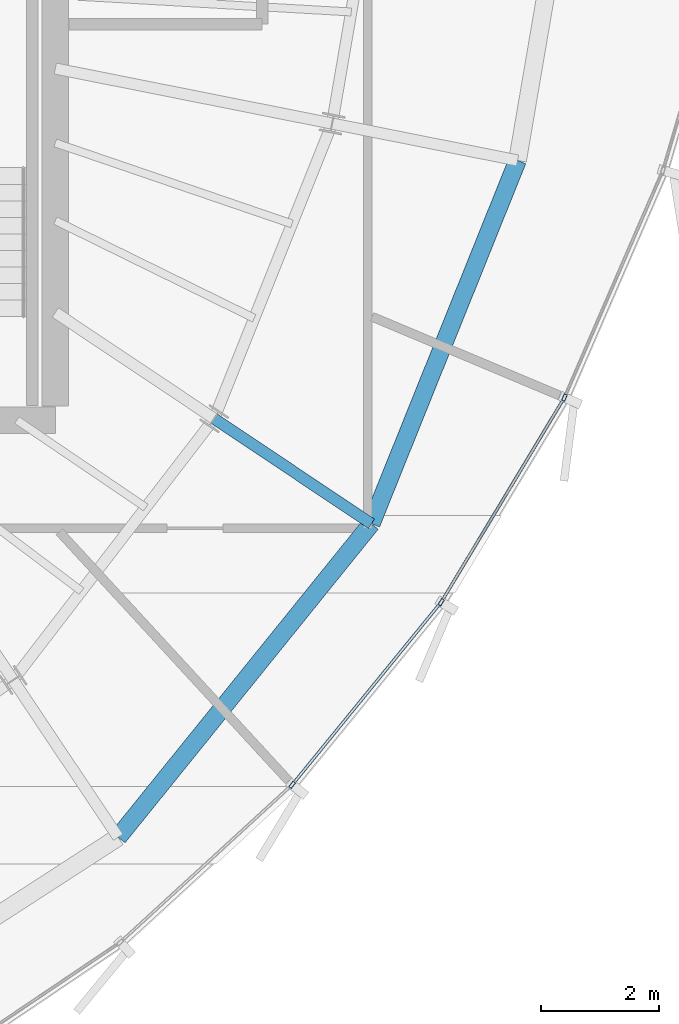
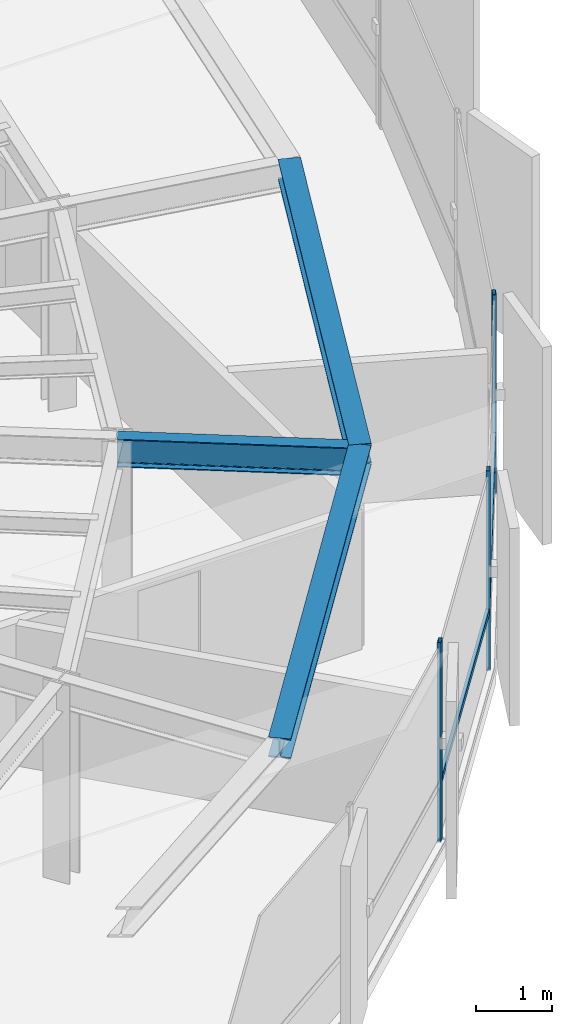
# One storey, part 13 of 33: 5 members, 3 beams, 1 element without a shape of its own.
"""IFC4 building model written with IfcOpenShell, lengths in metres."""

from ifc_helpers import new_model, si_unit, direction, frame, origin, origin_2d, place, context, subcontext, project, spatial, hollow_rectangle, i_section, extrude, source, transform, mapped, material, layer, layer_set, material_profile, profile_set, type_object, element, aggregate, save


model = new_model("IFC4")

# Units and contexts
model_context = context("Model", 3, precision=1e-05, world=origin(), true_north=direction((0.0, 1.0)))
body_context = subcontext(model_context, "Body", "Model", "MODEL_VIEW")
ifc_project = project(units=[si_unit("LENGTHUNIT", "METRE"), si_unit("AREAUNIT", "SQUARE_METRE"), si_unit("VOLUMEUNIT", "CUBIC_METRE"), si_unit("PLANEANGLEUNIT", "RADIAN"), si_unit("MASSUNIT", "GRAM", prefix="KILO"), si_unit("THERMODYNAMICTEMPERATUREUNIT", "KELVIN")], contexts=[model_context])

# Site, building, storey
site_placement = place(None, origin())
site = spatial("IfcSite", under=ifc_project, at=site_placement, CompositionType="ELEMENT")
building_placement = place(site_placement, origin())
building = spatial("IfcBuilding", under=site, at=building_placement, Name="Kethvar Cultural Tower", CompositionType="ELEMENT")
storey_placement = place(building_placement, frame((0.0, 0.0, 256.0)))
storey = spatial("IfcBuildingStorey", under=building, at=storey_placement, Name="L67", CompositionType="ELEMENT", Elevation=256.0)

# Beams
ifc_material_1 = material(Name="Steel S355J2", Category="steel")
ifc_material_profile_1 = material_profile(ifc_material_1, i_section(OverallWidth=0.18994140625, OverallDepth=0.449951171875, WebThickness=0.009521484375, FlangeThickness=0.0146484375, FilletRadius=0.02099609375, at=origin_2d()), Name="Steel S355J2 — IPE450")
ifc_profile_set_1 = profile_set([ifc_material_profile_1], Name="Steel S355J2 — IPE450")
beam_type_1 = type_object("IfcBeamType", Name="BM-IPE450", PredefinedType="BEAM", material=ifc_profile_set_1)
shared_shape_1 = source(origin(), body_context, "Body", "SweptSolid", [
    extrude(i_section(OverallWidth=0.18994140625, OverallDepth=0.449951171875, WebThickness=0.009521484375, FlangeThickness=0.0146484375, FilletRadius=0.02099609375, at=origin_2d()), origin(), (0.0, 0.0, 1.0), 3.199951171875),
])
beam_1_placement = place(storey_placement, frame((58.287109375, 20.12451171875, 2.98291015625), z_axis=(0.831462943996, -0.555580212716, 0.0), x_axis=(0.555580212716, 0.831462943996, 0.0)))
element("IfcBeam", 1, at=beam_1_placement, inside=storey, type_object=beam_type_1, Name="L67 Perimeter Cantilever Beam RC-15", PredefinedType="BEAM", context=body_context, shape_type="MappedRepresentation", body=[
    mapped(shared_shape_1, transform((0.0, 0.0, 0.0), scale=1.0)),
])
ifc_material_profile_2 = material_profile(ifc_material_1, i_section(OverallWidth=0.300048828125, OverallDepth=0.320068359375, WebThickness=0.011474609375, FlangeThickness=0.0205078125, FilletRadius=0.027099609375, at=origin_2d()), Name="Steel S355J2 — HEB320")
ifc_profile_set_2 = profile_set([ifc_material_profile_2], Name="Steel S355J2 — HEB320")
beam_type_2 = type_object("IfcBeamType", Name="BM-SP320", PredefinedType="SPANDREL", material=ifc_profile_set_2)
shared_shape_2 = source(origin(), body_context, "Body", "SweptSolid", [
    extrude(i_section(OverallWidth=0.300048828125, OverallDepth=0.320068359375, WebThickness=0.011474609375, FlangeThickness=0.0205078125, FilletRadius=0.027099609375, at=origin_2d()), origin(), (0.0, 0.0, 1.0), 6.8212890625),
])
beam_2_placement = place(storey_placement, frame((56.66259765625, 13.039306640625, 3.048095703125), z_axis=(0.628197971595, 0.778053538315, 0.0), x_axis=(-0.778053538315, 0.628197971595, 0.0)))
element("IfcBeam", 2, at=beam_2_placement, inside=storey, type_object=beam_type_2, Name="L67 Perimeter Spandrel Beam SP-14", PredefinedType="SPANDREL", context=body_context, shape_type="MappedRepresentation", body=[
    mapped(shared_shape_2, transform((0.0, 0.0, 0.0), scale=1.0)),
])
shared_shape_3 = source(origin(), body_context, "Body", "SweptSolid", [
    extrude(i_section(OverallWidth=0.300048828125, OverallDepth=0.320068359375, WebThickness=0.011474609375, FlangeThickness=0.0205078125, FilletRadius=0.027099609375, at=origin_2d()), origin(), (0.0, 0.0, 1.0), 6.626220703125),
])
beam_3_placement = place(storey_placement, frame((60.94775390625, 18.3466796875, 3.048095703125), z_axis=(0.373416224197, 0.927663906545, 0.0), x_axis=(-0.927663906545, 0.373416224197, 0.0)))
element("IfcBeam", 3, at=beam_3_placement, inside=storey, type_object=beam_type_2, Name="L67 Perimeter Spandrel Beam SP-15", PredefinedType="SPANDREL", context=body_context, shape_type="MappedRepresentation", body=[
    mapped(shared_shape_3, transform((0.0, 0.0, 0.0), scale=1.0)),
])

# Curtain wall, members
ifc_material_2 = material(Name="Aluminium 6063-T6", Category="aluminium")
ifc_layer = layer(ifc_material_2, 0.179931640625, Name="Aluminium 6063-T6", Category="aluminium")
ifc_layer_set = layer_set([ifc_layer], Name="Aluminium 6063-T6 (180 mm)")
curtain_wall_type = type_object("IfcCurtainWallType", Name="CW-SYS-05-Z56", PredefinedType="NOTDEFINED", material=ifc_layer_set)
curtain_wall_placement = place(storey_placement, origin())
curtain_wall = element("IfcCurtainWall", 4, at=curtain_wall_placement, inside=storey, type_object=curtain_wall_type, Name="L67 Curtain Wall Run 05", PredefinedType="NOTDEFINED")
ifc_material_profile_3 = material_profile(ifc_material_2, hollow_rectangle(XDim=0.054931640625, YDim=0.1201171875, WallThickness=0.00390625, at=origin_2d()), Name="Aluminium 6063-T6 — RHS120x55x4")
ifc_profile_set_3 = profile_set([ifc_material_profile_3], Name="Aluminium 6063-T6 — RHS120x55x4")
member_type_1 = type_object("IfcMemberType", Name="CW-SYS-05-Z56-MUL", PredefinedType="MULLION", material=ifc_profile_set_3)
shared_shape_4 = source(origin(), body_context, "Body", "SweptSolid", [
    extrude(hollow_rectangle(XDim=0.054931640625, YDim=0.1201171875, WallThickness=0.00390625, at=origin_2d()), origin(), (0.0, 0.0, 1.0), 3.2099609375),
])
member_1_placement = place(storey_placement, frame((59.60888671875, 13.927978515625, 0.0), z_axis=(0.0, 0.0, 1.0), x_axis=(-0.774922426247, 0.632056352945, 0.0)))
member_1 = element("IfcMember", 5, at=member_1_placement, type_object=member_type_1, Name="CW-L67-R05 Mullion 3", PredefinedType="MULLION", context=body_context, shape_type="MappedRepresentation", body=[
    mapped(shared_shape_4, transform((0.0, 0.0, 0.0), scale=1.0)),
])
member_2_placement = place(storey_placement, frame((62.1298828125, 17.017333984375, 0.0), z_axis=(0.0, 0.0, 1.0), x_axis=(-0.856681508129, 0.515845707194, 0.0)))
member_2 = element("IfcMember", 6, at=member_2_placement, type_object=member_type_1, Name="CW-L67-R05 Mullion 4", PredefinedType="MULLION", context=body_context, shape_type="MappedRepresentation", body=[
    mapped(shared_shape_4, transform((0.0, 0.0, 0.0), scale=1.0)),
])
member_3_placement = place(storey_placement, frame((64.21630859375, 20.480712890625, 0.0), z_axis=(0.0, 0.0, 1.0), x_axis=(-0.91754655374, 0.397628371371, 0.0)))
member_3 = element("IfcMember", 7, at=member_3_placement, type_object=member_type_1, Name="CW-L67-R05 Mullion 5", PredefinedType="MULLION", context=body_context, shape_type="MappedRepresentation", body=[
    mapped(shared_shape_4, transform((0.0, 0.0, 0.0), scale=1.0)),
])
ifc_material_profile_4 = material_profile(ifc_material_2, hollow_rectangle(XDim=0.050048828125, YDim=0.10009765625, WallThickness=0.00390625, at=origin_2d()), Name="Aluminium 6063-T6 — RHS100x50x4")
ifc_profile_set_4 = profile_set([ifc_material_profile_4], Name="Aluminium 6063-T6 — RHS100x50x4")
member_type_2 = type_object("IfcMemberType", Name="CW-SYS-05-Z56-TRN", PredefinedType="USERDEFINED", material=ifc_profile_set_4)
shared_shape_5 = source(origin(), body_context, "Body", "SweptSolid", [
    extrude(hollow_rectangle(XDim=0.050048828125, YDim=0.10009765625, WallThickness=0.00390625, at=origin_2d()), origin(), (0.0, 0.0, 1.0), 3.92236328125),
])
member_4_placement = place(storey_placement, frame((59.634033203125, 13.958740234375, 0.949951171875), z_axis=(0.632030340709, 0.774943642095, 0.0), x_axis=(-0.774943642095, 0.632030340709, 0.0)))
member_4 = element("IfcMember", 8, at=member_4_placement, type_object=member_type_2, Name="CW-L67-R05 Transom 3", ObjectType="TRANSOM", PredefinedType="USERDEFINED", context=body_context, shape_type="MappedRepresentation", body=[
    mapped(shared_shape_5, transform((0.0, 0.0, 0.0), scale=1.0)),
])
shared_shape_6 = source(origin(), body_context, "Body", "SweptSolid", [
    extrude(hollow_rectangle(XDim=0.050048828125, YDim=0.10009765625, WallThickness=0.00390625, at=origin_2d()), origin(), (0.0, 0.0, 1.0), 3.9775390625),
])
member_5_placement = place(storey_placement, frame((62.150390625, 17.05126953125, 0.949951171875), z_axis=(0.515840073348, 0.85668490049, 0.0), x_axis=(-0.85668490049, 0.515840073348, 0.0)))
member_5 = element("IfcMember", 9, at=member_5_placement, type_object=member_type_2, Name="CW-L67-R05 Transom 4", ObjectType="TRANSOM", PredefinedType="USERDEFINED", context=body_context, shape_type="MappedRepresentation", body=[
    mapped(shared_shape_6, transform((0.0, 0.0, 0.0), scale=1.0)),
])
aggregate(curtain_wall, [member_1, member_2, member_3, member_4, member_5])

save(model, "model.ifc")
